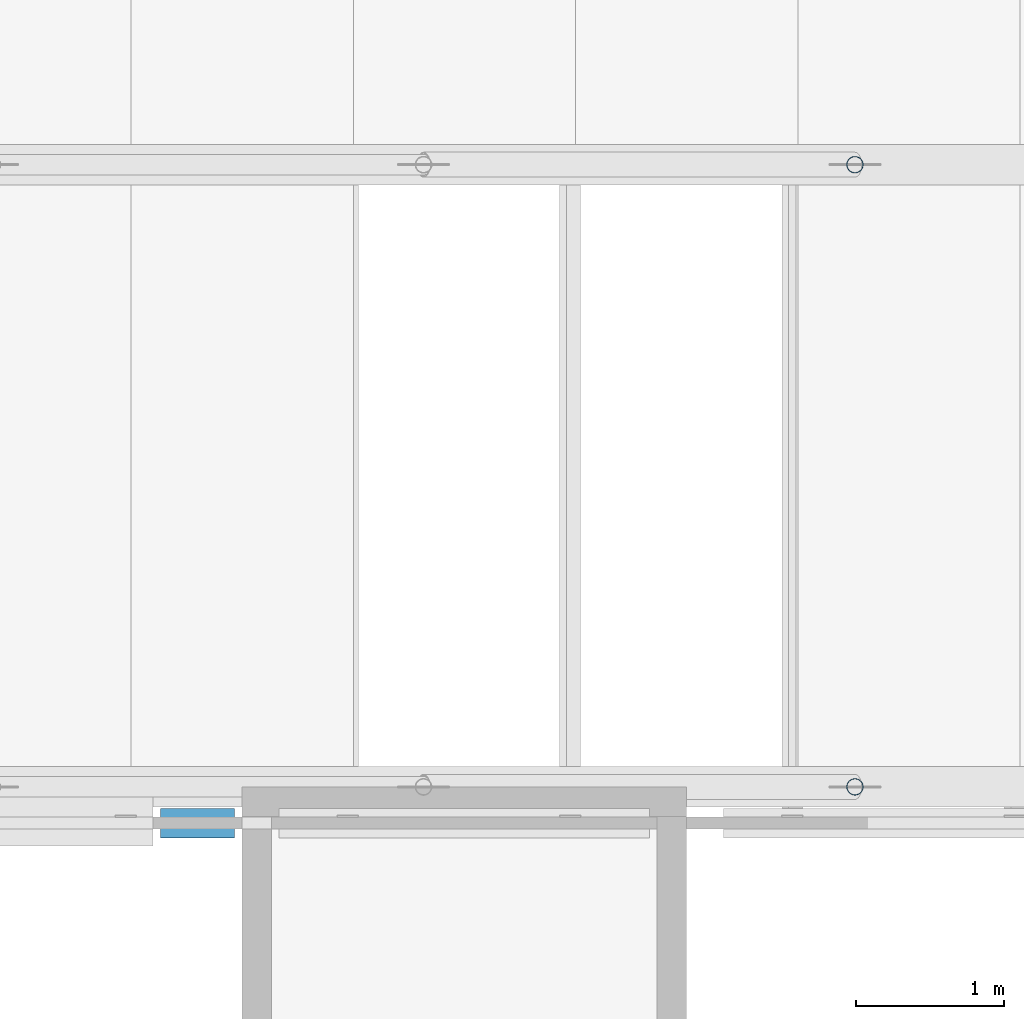
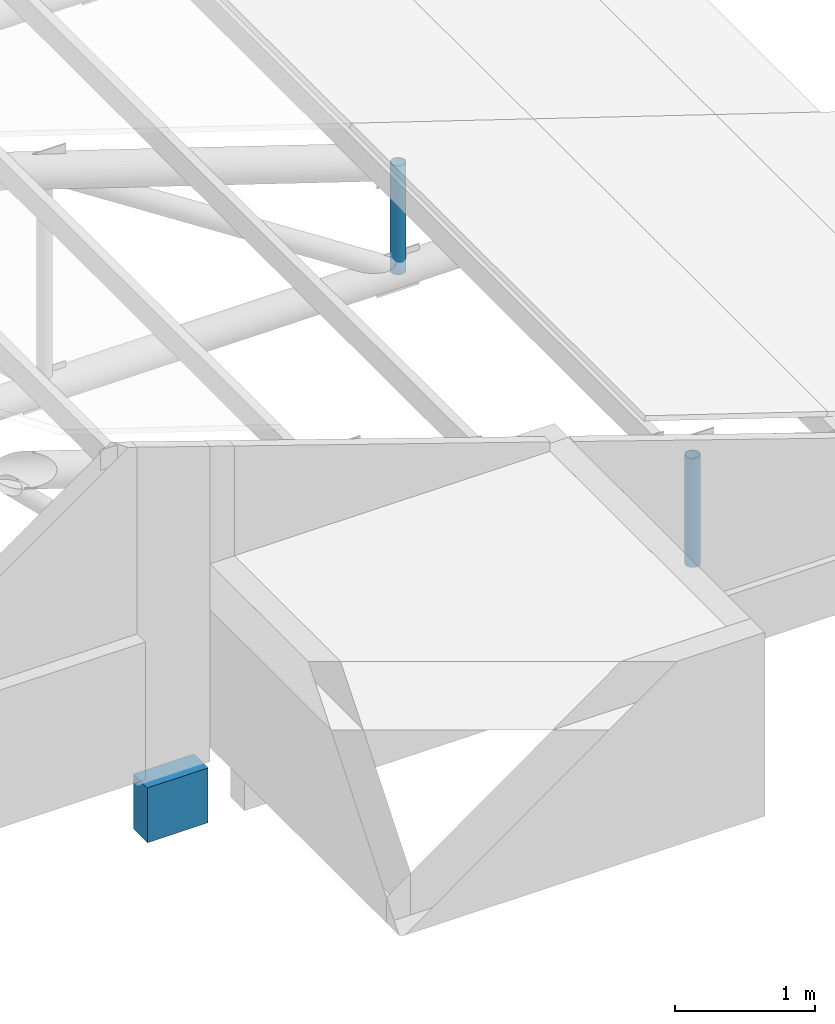
# One storey, part 60 of 95: 2 members, 1 beam.
"""IFC4 building model written with IfcOpenShell, lengths in metres."""

from ifc_helpers import new_model, si_unit, direction, frame, origin, origin_2d, place, context, subcontext, project, spatial, rectangle, hollow_circle, extrude, material, material_profile, profile_set, type_object, element, save


model = new_model("IFC4")

# Units and contexts
model_context = context("Model", 3, precision=1e-05, world=origin(), true_north=direction((0.0, 1.0)))
body_context = subcontext(model_context, "Body", "Model", "MODEL_VIEW")
ifc_project = project(units=[si_unit("LENGTHUNIT", "METRE"), si_unit("AREAUNIT", "SQUARE_METRE"), si_unit("VOLUMEUNIT", "CUBIC_METRE"), si_unit("PLANEANGLEUNIT", "RADIAN"), si_unit("MASSUNIT", "GRAM", prefix="KILO")], contexts=[model_context])

# Site, building, storey
site_placement = place(None, origin())
site = spatial("IfcSite", under=ifc_project, at=site_placement, CompositionType="ELEMENT")
building_placement = place(site_placement, origin())
building = spatial("IfcBuilding", under=site, at=building_placement, Name="Kiln Court Media Centre", CompositionType="ELEMENT")
storey_placement = place(building_placement, frame((0.0, 0.0, 24.60009765625)))
storey = spatial("IfcBuildingStorey", under=building, at=storey_placement, Name="L05", CompositionType="ELEMENT", Elevation=24.60009765625)

# Beam
ifc_material_1 = material(Name="Concrete C30/37", Category="concrete")
ifc_material_profile_1 = material_profile(ifc_material_1, rectangle(XDim=0.199951171875, YDim=0.477783203125, at=origin_2d()), Name="RC 200x478")
ifc_profile_set_1 = profile_set([ifc_material_profile_1], Name="Concrete C30/37")
beam_type = type_object("IfcBeamType", Name="Concrete C30/37 gable sill beam 200x478", PredefinedType="BEAM", material=ifc_profile_set_1)
beam_placement = place(storey_placement, frame((50.449951171875, 24.95556640625, -0.361083984375), z_axis=(1.0, 0.0, 0.0), x_axis=(0.0, 1.0, 0.0)))
element("IfcBeam", 1, at=beam_placement, inside=storey, type_object=beam_type, Name="Foyer south gable glazing sill beam", PredefinedType="BEAM", context=body_context, shape_type="SweptSolid", body=[
    extrude(rectangle(XDim=0.199951171875, YDim=0.477783203125, at=origin_2d()), origin(), (0.0, 0.0, 1.0), 0.5),
])

# Members
ifc_material_2 = material(Name="Steel ASTM A500 Gr C", Category="steel")
ifc_material_profile_2 = material_profile(ifc_material_2, hollow_circle(Radius=0.05712890625, WallThickness=0.0048828125, at=origin_2d()), Name="CHS 114.3x5.0")
ifc_profile_set_2 = profile_set([ifc_material_profile_2], Name="Steel ASTM A500 Gr C")
member_type = type_object("IfcMemberType", Name="Steel ASTM A500 Gr C CHS 114.3x5.0 truss web", PredefinedType="BRACE", material=ifc_profile_set_2)
for number, where, z_axis, x_axis, name in (
    (2, (55.137451171875, 25.199951171875, -0.013916015625), (0.0, 0.0, 1.0), (1.0, 0.0, 0.0), "foyer truss FT-01 post 7 truss web"),
    (3, (55.137451171875, 29.39990234375, -0.013916015625), (0.0, 0.0, 1.0), (1.0, 0.0, 0.0), "foyer truss FT-02 post 7 truss web"),
):
    element("IfcMember", number, at=place(storey_placement, frame(where, z_axis=z_axis, x_axis=x_axis)), inside=storey, type_object=member_type, Name=name, PredefinedType="BRACE", context=body_context, shape_type="SweptSolid", body=[
        extrude(hollow_circle(Radius=0.05712890625, WallThickness=0.0048828125, at=origin_2d()), origin(), (0.0, 0.0, 1.0), 0.946533203125),
    ])

save(model, "model.ifc")
